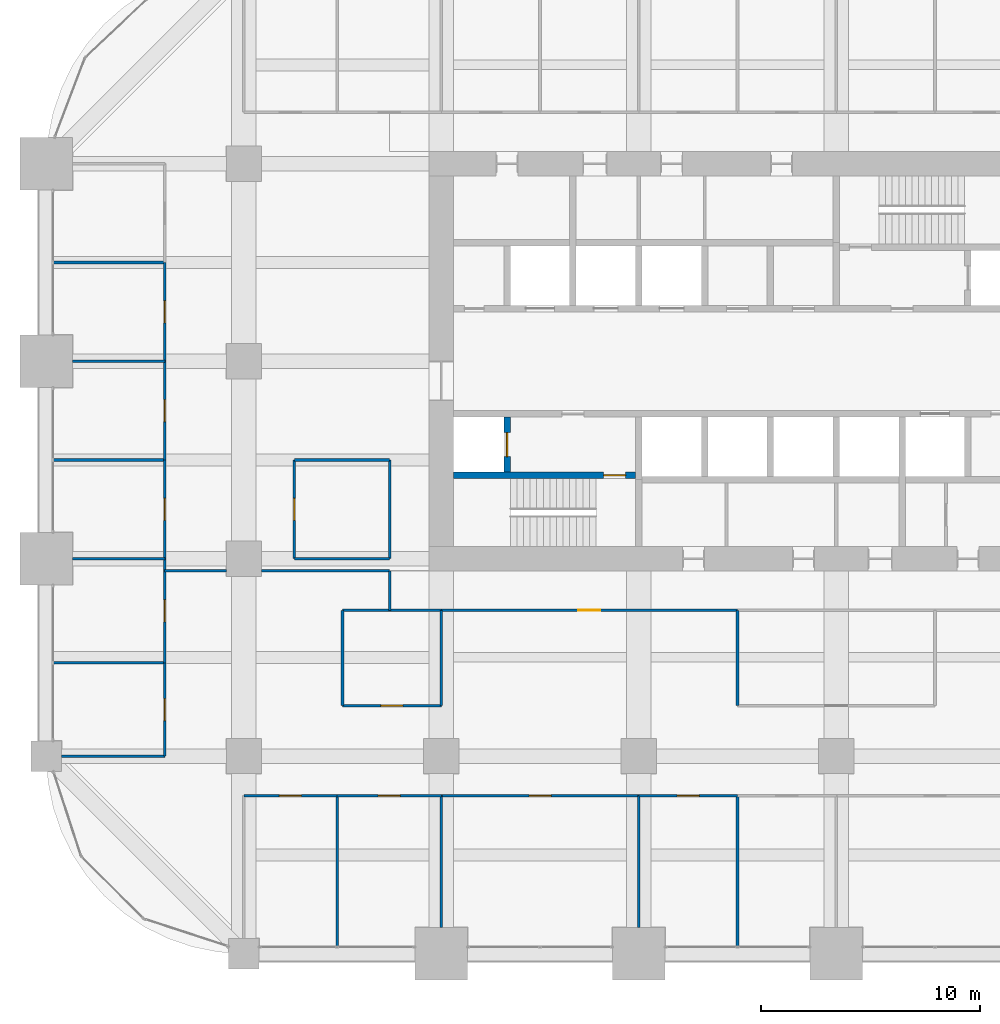
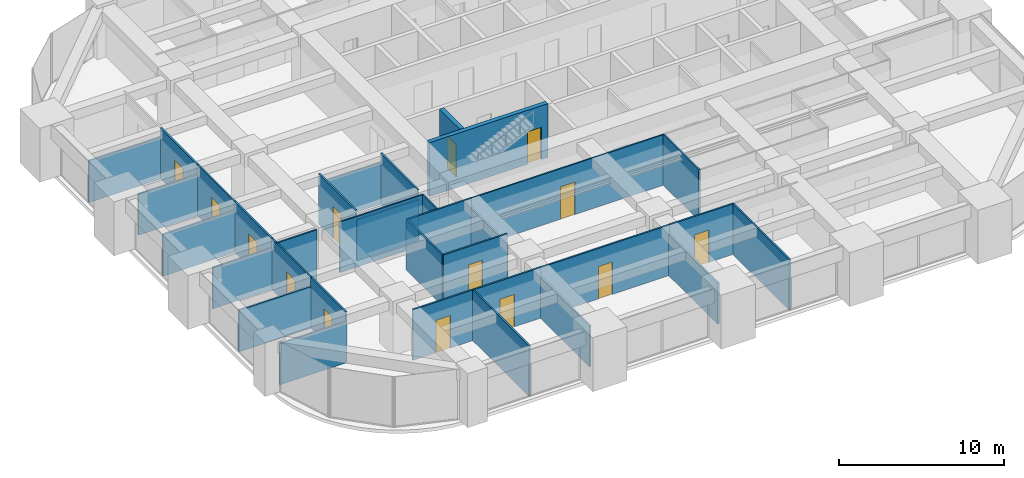
# One storey, part 29 of 34: 34 walls, 14 doors, 14 openings.
"""IFC4 building model written with IfcOpenShell, lengths in metres."""

import ifcopenshell
import ifcopenshell.guid

model = None  # the IFC model being written
_history = None  # IfcOwnerHistory: only IFC2X3 demands one
_inside = {}  # id of a spatial element -> (the spatial element, [elements in it])
_under = {}  # id of a project, library or spatial element -> (it, [spatial elements below it])
_declared = {}  # id of a project -> (the project, [libraries it declares])
_typed = {}  # id of a type object -> (the type object, [elements of that type])
_made_of = {}  # id of a material, layer set ... -> (it, [elements and type objects made of it])


def new_model(schema):
    """Start an empty IFC model of exactly this schema.

    Asked for "IFC4X3", IfcOpenShell would pick the latest addendum, in which some entities
    have other attributes; the version numbers below select the first issue.
    IFC2X3 requires an IfcOwnerHistory on every rooted entity: one is made here for all.
    """
    global model, _history
    if schema == "IFC4X3":
        model = ifcopenshell.file(schema_version=(4, 3, 0, 0))
    else:
        model = ifcopenshell.file(schema=schema)
    _inside.clear()
    _under.clear()
    _declared.clear()
    _typed.clear()
    _made_of.clear()
    _history = None
    if model.schema == "IFC2X3":
        org = make("IfcOrganization", Name="unknown")
        user = make(
            "IfcPersonAndOrganization",
            ThePerson=make("IfcPerson", FamilyName="unknown"),
            TheOrganization=org,
        )
        app = make(
            "IfcApplication",
            ApplicationDeveloper=org,
            Version="unknown",
            ApplicationFullName="unknown",
            ApplicationIdentifier="unknown",
        )
        _history = make(
            "IfcOwnerHistory",
            OwningUser=user,
            OwningApplication=app,
            ChangeAction="ADDED",
            CreationDate=0,
        )
    return model


def make(cls, **values):
    """One entity of the class cls with the attributes given. An attribute that is None is left unset."""
    return model.create_entity(
        cls, **{name: value for name, value in values.items() if value is not None}
    )


def rooted(cls, **values):
    """An entity with a GlobalId (a new one), such as an element, a storey or a relation."""
    return make(cls, GlobalId=ifcopenshell.guid.new(), OwnerHistory=_history, **values)


def si_unit(unit_type, name, prefix=None):
    """IfcSIUnit, for example si_unit("LENGTHUNIT", "METRE", prefix="MILLI")."""
    return make("IfcSIUnit", UnitType=unit_type, Prefix=prefix, Name=name)


def assignment(units):
    """IfcUnitAssignment: the units of a project."""
    return None if units is None else make("IfcUnitAssignment", Units=units)


def point(xyz):
    """IfcCartesianPoint."""
    return None if xyz is None else make("IfcCartesianPoint", Coordinates=xyz)


def direction(xyz):
    """IfcDirection."""
    return None if xyz is None else make("IfcDirection", DirectionRatios=xyz)


def frame(location, z_axis=None, x_axis=None):
    """IfcAxis2Placement3D, a coordinate frame: its origin and axes. An axis left out is left unset."""
    return make(
        "IfcAxis2Placement3D",
        Location=point(location),
        Axis=direction(z_axis),
        RefDirection=direction(x_axis),
    )


def frame_2d(location, x_axis=None):
    """IfcAxis2Placement2D, a coordinate frame in the plane: its origin and x axis."""
    return make(
        "IfcAxis2Placement2D", Location=point(location), RefDirection=direction(x_axis)
    )


def origin():
    """The frame at (0, 0, 0) with its axes left unset."""
    return frame((0.0, 0.0, 0.0))


def place(relative_to, where):
    """IfcLocalPlacement: puts the frame where relative to a parent placement (None: the world)."""
    return make(
        "IfcLocalPlacement", PlacementRelTo=relative_to, RelativePlacement=where
    )


def context(
    kind, dimensions, precision=None, world=None, true_north=None, identifier=None
):
    """IfcGeometricRepresentationContext, for example the 3D "Model" context."""
    return make(
        "IfcGeometricRepresentationContext",
        ContextIdentifier=identifier,
        ContextType=kind,
        CoordinateSpaceDimension=dimensions,
        Precision=precision,
        WorldCoordinateSystem=world,
        TrueNorth=true_north,
    )


def subcontext(parent, identifier, kind, view, scale=None):
    """IfcGeometricRepresentationSubContext, for example "Body" below "Model"."""
    return make(
        "IfcGeometricRepresentationSubContext",
        ContextIdentifier=identifier,
        ContextType=kind,
        ParentContext=parent,
        TargetScale=scale,
        TargetView=view,
    )


def project(units=None, contexts=None):
    """IfcProject with its units and contexts."""
    return rooted(
        "IfcProject",
        Name="project",
        RepresentationContexts=contexts,
        UnitsInContext=assignment(units),
    )


def spatial(cls, under=None, at=None, **own):
    """A site, building, storey or space (cls), placed at a placement, below another one or the project."""
    s = rooted(cls, ObjectPlacement=at, **own)
    if under is not None:
        _under.setdefault(under.id(), (under, []))[1].append(s)
    return s


def profile(cls, at=None, kind="AREA", **sizes):
    """A parametric profile (cls). Its sizes go by their IFC names, for example OverallWidth=200.0."""
    return make(cls, ProfileType=kind, Position=at, **sizes)


def rectangle(**sizes):
    """IfcRectangleProfileDef."""
    return profile("IfcRectangleProfileDef", **sizes)


def extrude(swept, where, along, depth):
    """IfcExtrudedAreaSolid: the profile swept, set in the frame where, extruded along a direction by depth."""
    return make(
        "IfcExtrudedAreaSolid",
        SweptArea=swept,
        Position=where,
        ExtrudedDirection=direction(along),
        Depth=depth,
    )


def shape(context_of_items, identifier, shape_type, items):
    """IfcShapeRepresentation: the items that make up one representation, for example the "Body"."""
    return make(
        "IfcShapeRepresentation",
        ContextOfItems=context_of_items,
        RepresentationIdentifier=identifier,
        RepresentationType=shape_type,
        Items=items,
    )


def material(Name=None, Category=None):
    """IfcMaterial."""
    return make("IfcMaterial", Name=Name, Category=Category)


def layer(
    of_material, thickness, ventilated=None, Name=None, Category=None, Priority=None
):
    """IfcMaterialLayer: one layer of a wall or slab, of a material (None: an air gap)."""
    return make(
        "IfcMaterialLayer",
        Material=of_material,
        LayerThickness=thickness,
        IsVentilated=ventilated,
        Name=Name,
        Category=Category,
        Priority=Priority,
    )


def layer_set(layers, Name=None):
    """IfcMaterialLayerSet."""
    return make("IfcMaterialLayerSet", MaterialLayers=layers, LayerSetName=Name)


def made_of(thing, what):
    """Note that an element or type object is made of a material, layer set ...; save() writes the relation."""
    if what is not None:
        _made_of.setdefault(what.id(), (what, []))[1].append(thing)
    return thing


def type_object(cls, material=None, **own):
    """A type object (cls), such as IfcWallType, which elements share."""
    return made_of(rooted(cls, **own), material)


def element(
    cls,
    number,
    at=None,
    inside=None,
    cuts=None,
    type_object=None,
    material=None,
    context=None,
    identifier="Body",
    shape_type=None,
    held_by="IfcProductDefinitionShape",
    body=None,
    shapes=None,
    **own,
):
    """One element of the class cls, such as IfcWall. Its Tag is "e" and its number.

    at: its placement. inside: the storey or other place that contains it. cuts: it is an
    opening in that element (IfcRelVoidsElement). A single representation is given by context,
    identifier, shape_type and body (its items); several are given by shapes. held_by: the class
    of the entity that holds the representations. save() writes the other relations.
    """
    e = rooted(cls, Tag="e%d" % number, ObjectPlacement=at, **own)
    if body is not None:
        shapes = [shape(context, identifier, shape_type, body)]
    if shapes is not None:
        e.Representation = make(held_by, Representations=shapes)
    if inside is not None:
        _inside.setdefault(inside.id(), (inside, []))[1].append(e)
    if cuts is not None:
        rooted(
            "IfcRelVoidsElement", RelatingBuildingElement=cuts, RelatedOpeningElement=e
        )
    if type_object is not None:
        _typed.setdefault(type_object.id(), (type_object, []))[1].append(e)
    return made_of(e, material)


def fill(opening, filler):
    """IfcRelFillsElement: the door or window that sits in an opening."""
    return rooted(
        "IfcRelFillsElement",
        RelatingOpeningElement=opening,
        RelatedBuildingElement=filler,
    )


def aggregate(whole, parts):
    """IfcRelAggregates: a whole, such as a stair, and the parts it consists of."""
    return rooted("IfcRelAggregates", RelatingObject=whole, RelatedObjects=parts)


def save(model, path):
    """Write the relations noted so far, then the file.

    IfcRelAggregates (storeys below a building ...), IfcRelContainedInSpatialStructure (elements
    in a storey), IfcRelDefinesByType, IfcRelAssociatesMaterial and IfcRelDeclares: one each for
    every whole, place, type object, material and project.
    """
    for whole, parts in _under.values():
        aggregate(whole, parts)
    for where, things in _inside.values():
        rooted(
            "IfcRelContainedInSpatialStructure",
            RelatedElements=things,
            RelatingStructure=where,
        )
    for kind, things in _typed.values():
        rooted("IfcRelDefinesByType", RelatedObjects=things, RelatingType=kind)
    for what, things in _made_of.values():
        rooted("IfcRelAssociatesMaterial", RelatedObjects=things, RelatingMaterial=what)
    for by, libraries in _declared.values():
        rooted("IfcRelDeclares", RelatingContext=by, RelatedDefinitions=libraries)
    model.write(path)


model = new_model("IFC4")

# Units and contexts
model_context = context("Model", 3, precision=1e-05, world=origin(), true_north=direction((0.0, 1.0)))
body_context = subcontext(model_context, "Body", "Model", "MODEL_VIEW")
ifc_project = project(units=[si_unit("LENGTHUNIT", "METRE"), si_unit("AREAUNIT", "SQUARE_METRE"), si_unit("VOLUMEUNIT", "CUBIC_METRE"), si_unit("PLANEANGLEUNIT", "RADIAN"), si_unit("MASSUNIT", "GRAM", prefix="KILO")], contexts=[model_context])

# Site, building, storey
site_placement = place(None, origin())
site = spatial("IfcSite", under=ifc_project, at=site_placement, CompositionType="ELEMENT")
building_placement = place(site_placement, origin())
building = spatial("IfcBuilding", under=site, at=building_placement, Name="Zorevar Civic Tower", CompositionType="ELEMENT")
storey_placement = place(building_placement, frame((0.0, 0.0, 170.199951171875)))
storey = spatial("IfcBuildingStorey", under=building, at=storey_placement, Name="L41", CompositionType="ELEMENT", Elevation=170.199951171875)

# Wall, opening, door
ifc_material_1 = material(Name="Laminated glass in black aluminium frame", Category="aluminium")
ifc_layer_1 = layer(ifc_material_1, 0.10009765625)
ifc_layer_set_1 = layer_set([ifc_layer_1], Name="Glazed partition 100")
wall_type_1 = type_object("IfcWallType", Name="Glazed partition 100", PredefinedType="PARTITIONING", material=ifc_layer_set_1)
wall_1_placement = place(storey_placement, frame((18.0, 15.64990234375, 0.0), z_axis=(0.0, 0.0, 1.0), x_axis=(1.0, 0.0, 0.0)))
wall_1 = element("IfcWall", 1, at=wall_1_placement, inside=storey, type_object=wall_type_1, Name="Glazed partition 100 L41", PredefinedType="PARTITIONING", context=body_context, shape_type="SweptSolid", body=[
    extrude(rectangle(XDim=13.5, YDim=0.10009765625, at=frame_2d((6.75, 0.0))), origin(), (0.0, 0.0, 1.0), 3.75),
])
opening_1_placement = place(wall_1_placement, frame((6.25, 0.0, 0.0)))
opening_1 = element("IfcOpeningElement", 2, at=opening_1_placement, cuts=wall_1, Name="Opening L41.25", PredefinedType="OPENING", context=body_context, shape_type="SweptSolid", body=[
    extrude(rectangle(XDim=1.0, YDim=2.39990234375, at=frame_2d((0.5, 1.199951171875))), frame((0.0, 0.06005859375, 0.0), z_axis=(0.0, -1.0, 0.0), x_axis=(1.0, 0.0, 0.0)), (0.0, 0.0, 1.0), 0.1201171875),
])
ifc_material_2 = material(Name="Timber door set", Category="wood")
door_type_1 = type_object("IfcDoorType", Name="Glazed door GD1 1000x2400", OperationType="SINGLE_SWING_LEFT", PredefinedType="DOOR", material=ifc_material_2)
door_1_placement = place(opening_1_placement, origin())
door_1 = element("IfcDoor", 3, at=door_1_placement, inside=storey, type_object=door_type_1, Name="Door L41 D1", OperationType="SINGLE_SWING_RIGHT", OverallHeight=2.39990234375, OverallWidth=1.0, PredefinedType="DOOR", context=body_context, shape_type="SweptSolid", body=[
    extrude(rectangle(XDim=1.0, YDim=2.39990234375, at=frame_2d((0.5, 1.199951171875))), frame((0.0, 0.02001953125, 0.0), z_axis=(0.0, -1.0, 0.0), x_axis=(1.0, 0.0, 0.0)), (0.0, 0.0, 1.0), 0.0400390625),
])
fill(opening_1, door_1)

# Walls
wall_2_placement = place(storey_placement, frame((5.389892578125, 17.449951171875, 0.0), z_axis=(0.0, 0.0, 1.0), x_axis=(1.0, 0.0, 0.0)))
element("IfcWall", 4, at=wall_2_placement, inside=storey, type_object=wall_type_1, Name="Glazed partition 100 L41", PredefinedType="PARTITIONING", context=body_context, shape_type="SweptSolid", body=[
    extrude(rectangle(XDim=2.81005859375, YDim=0.10009765625, at=frame_2d((1.405029296875, 0.0))), origin(), (0.0, 0.0, 1.0), 3.75),
])
wall_3_placement = place(storey_placement, frame((9.800048828125, 17.449951171875, 0.0), z_axis=(0.0, 0.0, 1.0), x_axis=(1.0, 0.0, 0.0)))
element("IfcWall", 5, at=wall_3_placement, inside=storey, type_object=wall_type_1, Name="Glazed partition 100 L41", PredefinedType="PARTITIONING", context=body_context, shape_type="SweptSolid", body=[
    extrude(rectangle(XDim=5.849853515625, YDim=0.10009765625, at=frame_2d((2.9248046875, 0.0))), origin(), (0.0, 0.0, 1.0), 3.75),
])
wall_4_placement = place(storey_placement, frame((15.64990234375, 15.64990234375, 0.0), z_axis=(0.0, 0.0, 1.0), x_axis=(0.0, 1.0, 0.0)))
element("IfcWall", 6, at=wall_4_placement, inside=storey, type_object=wall_type_1, Name="Glazed partition 100 L41", PredefinedType="PARTITIONING", context=body_context, shape_type="SweptSolid", body=[
    extrude(rectangle(XDim=1.800048828125, YDim=0.10009765625, at=frame_2d((0.89990234375, 0.0))), origin(), (0.0, 0.0, 1.0), 3.75),
])

# Wall, opening, door
ifc_material_3 = material(Name="Concrete C40/50", Category="concrete")
ifc_layer_2 = layer(ifc_material_3, 0.300048828125)
ifc_layer_set_2 = layer_set([ifc_layer_2], Name="Inner core wall 300")
wall_type_2 = type_object("IfcWallType", Name="Inner core wall 300", PredefinedType="SHEAR", material=ifc_layer_set_2)
wall_5_placement = place(storey_placement, frame((18.550048828125, 21.800048828125, 0.0), z_axis=(0.0, 0.0, 1.0), x_axis=(1.0, 0.0, 0.0)))
wall_5 = element("IfcWall", 7, at=wall_5_placement, inside=storey, type_object=wall_type_2, Name="Inner core wall S00 L41", PredefinedType="SHEAR", context=body_context, shape_type="SweptSolid", body=[
    extrude(rectangle(XDim=8.300048828125, YDim=0.300048828125, at=frame_2d((4.14990234375, 0.0))), origin(), (0.0, 0.0, 1.0), 4.0),
])
opening_2_placement = place(wall_5_placement, frame((6.85009765625, 0.0, 0.0)))
opening_2 = element("IfcOpeningElement", 8, at=opening_2_placement, cuts=wall_5, Name="Opening L41.11", PredefinedType="OPENING", context=body_context, shape_type="SweptSolid", body=[
    extrude(rectangle(XDim=1.0, YDim=2.39990234375, at=frame_2d((0.5, 1.199951171875))), frame((0.0, 0.159912109375, 0.0), z_axis=(0.0, -1.0, 0.0), x_axis=(1.0, 0.0, 0.0)), (0.0, 0.0, 1.0), 0.320068359375),
])
ifc_material_4 = material(Name="Steel door set", Category="steel")
door_type_2 = type_object("IfcDoorType", Name="Fire door FD1 1000x2400", OperationType="SINGLE_SWING_LEFT", PredefinedType="DOOR", material=ifc_material_4)
door_2_placement = place(opening_2_placement, origin())
door_2 = element("IfcDoor", 9, at=door_2_placement, inside=storey, type_object=door_type_2, Name="Door L41 10", OperationType="SINGLE_SWING_RIGHT", OverallHeight=2.39990234375, OverallWidth=1.0, PredefinedType="DOOR", context=body_context, shape_type="SweptSolid", body=[
    extrude(rectangle(XDim=1.0, YDim=2.39990234375, at=frame_2d((0.5, 1.199951171875))), frame((0.0, 0.030029296875, 0.0), z_axis=(0.0, -1.0, 0.0), x_axis=(1.0, 0.0, 0.0)), (0.0, 0.0, 1.0), 0.06005859375),
])
fill(opening_2, door_2)

wall_6_placement = place(storey_placement, frame((21.0, 21.949951171875, 0.0), z_axis=(0.0, 0.0, 1.0), x_axis=(0.0, 1.0, 0.0)))
wall_6 = element("IfcWall", 10, at=wall_6_placement, inside=storey, type_object=wall_type_2, Name="Inner core wall S02 L41", PredefinedType="SHEAR", context=body_context, shape_type="SweptSolid", body=[
    extrude(rectangle(XDim=2.5, YDim=0.300048828125, at=frame_2d((1.25, 0.0))), origin(), (0.0, 0.0, 1.0), 4.0),
])
opening_3_placement = place(wall_6_placement, frame((0.699951171875, 0.0, 0.0)))
opening_3 = element("IfcOpeningElement", 11, at=opening_3_placement, cuts=wall_6, Name="Opening L41.FL1", PredefinedType="OPENING", context=body_context, shape_type="SweptSolid", body=[
    extrude(rectangle(XDim=1.10009765625, YDim=2.39990234375, at=frame_2d((0.550048828125, 1.199951171875))), frame((0.0, 0.159912109375, 0.0), z_axis=(0.0, -1.0, 0.0), x_axis=(1.0, 0.0, 0.0)), (0.0, 0.0, 1.0), 0.320068359375),
])
ifc_material_5 = material(Name="Steel door set", Category="steel")
door_type_3 = type_object("IfcDoorType", Name="Firefighting lift landing door LD3 1100x2400", OperationType="DOUBLE_DOOR_SLIDING", PredefinedType="DOOR", material=ifc_material_5)
door_3_placement = place(opening_3_placement, origin())
door_3 = element("IfcDoor", 12, at=door_3_placement, inside=storey, type_object=door_type_3, Name="Landing door FL1 L41", OperationType="DOUBLE_DOOR_SLIDING", OverallHeight=2.39990234375, OverallWidth=1.10009765625, PredefinedType="DOOR", context=body_context, shape_type="SweptSolid", body=[
    extrude(rectangle(XDim=1.10009765625, YDim=2.39990234375, at=frame_2d((0.550048828125, 1.199951171875))), frame((0.0, 0.030029296875, 0.0), z_axis=(0.0, -1.0, 0.0), x_axis=(1.0, 0.0, 0.0)), (0.0, 0.0, 1.0), 0.06005859375),
])
fill(opening_3, door_3)

ifc_material_6 = material(Name="Gypsum board on steel studs", Category="steel")
ifc_layer_3 = layer(ifc_material_6, 0.1201171875)
ifc_layer_set_3 = layer_set([ifc_layer_3], Name="Partition 120")
wall_type_3 = type_object("IfcWallType", Name="Partition 120", PredefinedType="PARTITIONING", material=ifc_layer_set_3)
wall_7_placement = place(storey_placement, frame((9.0, 7.199951171875, 0.0), z_axis=(0.0, 0.0, 1.0), x_axis=(1.0, 0.0, 0.0)))
wall_7 = element("IfcWall", 13, at=wall_7_placement, inside=storey, type_object=wall_type_3, Name="Partition 120 L41", PredefinedType="PARTITIONING", context=body_context, shape_type="SweptSolid", body=[
    extrude(rectangle(XDim=4.25, YDim=0.1201171875, at=frame_2d((2.125, 0.0))), origin(), (0.0, 0.0, 1.0), 3.75),
])
opening_4_placement = place(wall_7_placement, frame((1.625, 0.0, 0.0)))
opening_4 = element("IfcOpeningElement", 14, at=opening_4_placement, cuts=wall_7, Name="Opening L41.17", PredefinedType="OPENING", context=body_context, shape_type="SweptSolid", body=[
    extrude(rectangle(XDim=1.0, YDim=2.39990234375, at=frame_2d((0.5, 1.199951171875))), frame((0.0, 0.070068359375, 0.0), z_axis=(0.0, -1.0, 0.0), x_axis=(1.0, 0.0, 0.0)), (0.0, 0.0, 1.0), 0.14013671875),
])
ifc_material_7 = material(Name="Timber door set", Category="wood")
door_type_4 = type_object("IfcDoorType", Name="Door D1 1000x2400", OperationType="SINGLE_SWING_LEFT", PredefinedType="DOOR", material=ifc_material_7)
door_4_placement = place(opening_4_placement, origin())
door_4 = element("IfcDoor", 15, at=door_4_placement, inside=storey, type_object=door_type_4, Name="Door L41 D1", OperationType="SINGLE_SWING_RIGHT", OverallHeight=2.39990234375, OverallWidth=1.0, PredefinedType="DOOR", context=body_context, shape_type="SweptSolid", body=[
    extrude(rectangle(XDim=1.0, YDim=2.39990234375, at=frame_2d((0.5, 1.199951171875))), frame((0.0, 0.02490234375, 0.0), z_axis=(0.0, -1.0, 0.0), x_axis=(1.0, 0.0, 0.0)), (0.0, 0.0, 1.0), 0.050048828125),
])
fill(opening_4, door_4)

wall_8_placement = place(storey_placement, frame((13.25, 7.199951171875, 0.0), z_axis=(0.0, 0.0, 1.0), x_axis=(1.0, 0.0, 0.0)))
wall_8 = element("IfcWall", 16, at=wall_8_placement, inside=storey, type_object=wall_type_3, Name="Partition 120 L41", PredefinedType="PARTITIONING", context=body_context, shape_type="SweptSolid", body=[
    extrude(rectangle(XDim=4.75, YDim=0.1201171875, at=frame_2d((2.375, 0.0))), origin(), (0.0, 0.0, 1.0), 3.75),
])
opening_5_placement = place(wall_8_placement, frame((1.875, 0.0, 0.0)))
opening_5 = element("IfcOpeningElement", 17, at=opening_5_placement, cuts=wall_8, Name="Opening L41.18", PredefinedType="OPENING", context=body_context, shape_type="SweptSolid", body=[
    extrude(rectangle(XDim=1.0, YDim=2.39990234375, at=frame_2d((0.5, 1.199951171875))), frame((0.0, 0.070068359375, 0.0), z_axis=(0.0, -1.0, 0.0), x_axis=(1.0, 0.0, 0.0)), (0.0, 0.0, 1.0), 0.14013671875),
])
door_5_placement = place(opening_5_placement, origin())
door_5 = element("IfcDoor", 18, at=door_5_placement, inside=storey, type_object=door_type_4, Name="Door L41 D1", OperationType="SINGLE_SWING_RIGHT", OverallHeight=2.39990234375, OverallWidth=1.0, PredefinedType="DOOR", context=body_context, shape_type="SweptSolid", body=[
    extrude(rectangle(XDim=1.0, YDim=2.39990234375, at=frame_2d((0.5, 1.199951171875))), frame((0.0, 0.02490234375, 0.0), z_axis=(0.0, -1.0, 0.0), x_axis=(1.0, 0.0, 0.0)), (0.0, 0.0, 1.0), 0.050048828125),
])
fill(opening_5, door_5)

wall_9_placement = place(storey_placement, frame((18.0, 7.199951171875, 0.0), z_axis=(0.0, 0.0, 1.0), x_axis=(1.0, 0.0, 0.0)))
wall_9 = element("IfcWall", 19, at=wall_9_placement, inside=storey, type_object=wall_type_3, Name="Partition 120 L41", PredefinedType="PARTITIONING", context=body_context, shape_type="SweptSolid", body=[
    extrude(rectangle(XDim=9.0, YDim=0.1201171875, at=frame_2d((4.5, 0.0))), origin(), (0.0, 0.0, 1.0), 3.75),
])
opening_6_placement = place(wall_9_placement, frame((4.0, 0.0, 0.0)))
opening_6 = element("IfcOpeningElement", 20, at=opening_6_placement, cuts=wall_9, Name="Opening L41.19", PredefinedType="OPENING", context=body_context, shape_type="SweptSolid", body=[
    extrude(rectangle(XDim=1.0, YDim=2.39990234375, at=frame_2d((0.5, 1.199951171875))), frame((0.0, 0.070068359375, 0.0), z_axis=(0.0, -1.0, 0.0), x_axis=(1.0, 0.0, 0.0)), (0.0, 0.0, 1.0), 0.14013671875),
])
door_6_placement = place(opening_6_placement, origin())
door_6 = element("IfcDoor", 21, at=door_6_placement, inside=storey, type_object=door_type_4, Name="Door L41 D1", OperationType="SINGLE_SWING_RIGHT", OverallHeight=2.39990234375, OverallWidth=1.0, PredefinedType="DOOR", context=body_context, shape_type="SweptSolid", body=[
    extrude(rectangle(XDim=1.0, YDim=2.39990234375, at=frame_2d((0.5, 1.199951171875))), frame((0.0, 0.02490234375, 0.0), z_axis=(0.0, -1.0, 0.0), x_axis=(1.0, 0.0, 0.0)), (0.0, 0.0, 1.0), 0.050048828125),
])
fill(opening_6, door_6)

wall_10_placement = place(storey_placement, frame((27.0, 7.199951171875, 0.0), z_axis=(0.0, 0.0, 1.0), x_axis=(1.0, 0.0, 0.0)))
wall_10 = element("IfcWall", 22, at=wall_10_placement, inside=storey, type_object=wall_type_3, Name="Partition 120 L41", PredefinedType="PARTITIONING", context=body_context, shape_type="SweptSolid", body=[
    extrude(rectangle(XDim=4.5, YDim=0.1201171875, at=frame_2d((2.25, 0.0))), origin(), (0.0, 0.0, 1.0), 3.75),
])
opening_7_placement = place(wall_10_placement, frame((1.75, 0.0, 0.0)))
opening_7 = element("IfcOpeningElement", 23, at=opening_7_placement, cuts=wall_10, Name="Opening L41.20", PredefinedType="OPENING", context=body_context, shape_type="SweptSolid", body=[
    extrude(rectangle(XDim=1.0, YDim=2.39990234375, at=frame_2d((0.5, 1.199951171875))), frame((0.0, 0.070068359375, 0.0), z_axis=(0.0, -1.0, 0.0), x_axis=(1.0, 0.0, 0.0)), (0.0, 0.0, 1.0), 0.14013671875),
])
door_7_placement = place(opening_7_placement, origin())
door_7 = element("IfcDoor", 24, at=door_7_placement, inside=storey, type_object=door_type_4, Name="Door L41 D1", OperationType="SINGLE_SWING_LEFT", OverallHeight=2.39990234375, OverallWidth=1.0, PredefinedType="DOOR", context=body_context, shape_type="SweptSolid", body=[
    extrude(rectangle(XDim=1.0, YDim=2.39990234375, at=frame_2d((0.5, 1.199951171875))), frame((0.0, 0.02490234375, 0.0), z_axis=(0.0, -1.0, 0.0), x_axis=(1.0, 0.0, 0.0)), (0.0, 0.0, 1.0), 0.050048828125),
])
fill(opening_7, door_7)

# Wall
wall_11_placement = place(storey_placement, frame((0.699951171875, 9.0, 0.0), z_axis=(0.0, 0.0, 1.0), x_axis=(1.0, 0.0, 0.0)))
element("IfcWall", 25, at=wall_11_placement, inside=storey, type_object=wall_type_3, Name="Partition 120 L41", PredefinedType="PARTITIONING", context=body_context, shape_type="SweptSolid", body=[
    extrude(rectangle(XDim=4.699951171875, YDim=0.1201171875, at=frame_2d((2.35009765625, 0.0))), origin(), (0.0, 0.0, 1.0), 3.050048828125),
])

# Wall, opening, door
wall_12_placement = place(storey_placement, frame((13.5, 11.300048828125, 0.0), z_axis=(0.0, 0.0, 1.0), x_axis=(1.0, 0.0, 0.0)))
wall_12 = element("IfcWall", 26, at=wall_12_placement, inside=storey, type_object=wall_type_3, Name="Partition 120 L41", PredefinedType="PARTITIONING", context=body_context, shape_type="SweptSolid", body=[
    extrude(rectangle(XDim=4.5, YDim=0.1201171875, at=frame_2d((2.25, 0.0))), origin(), (0.0, 0.0, 1.0), 3.75),
])
opening_8_placement = place(wall_12_placement, frame((1.75, 0.0, 0.0)))
opening_8 = element("IfcOpeningElement", 27, at=opening_8_placement, cuts=wall_12, Name="Opening L41.23", PredefinedType="OPENING", context=body_context, shape_type="SweptSolid", body=[
    extrude(rectangle(XDim=1.0, YDim=2.39990234375, at=frame_2d((0.5, 1.199951171875))), frame((0.0, 0.070068359375, 0.0), z_axis=(0.0, -1.0, 0.0), x_axis=(1.0, 0.0, 0.0)), (0.0, 0.0, 1.0), 0.14013671875),
])
door_8_placement = place(opening_8_placement, origin())
door_8 = element("IfcDoor", 28, at=door_8_placement, inside=storey, type_object=door_type_4, Name="Door L41 D1", OperationType="SINGLE_SWING_LEFT", OverallHeight=2.39990234375, OverallWidth=1.0, PredefinedType="DOOR", context=body_context, shape_type="SweptSolid", body=[
    extrude(rectangle(XDim=1.0, YDim=2.39990234375, at=frame_2d((0.5, 1.199951171875))), frame((0.0, 0.02490234375, 0.0), z_axis=(0.0, -1.0, 0.0), x_axis=(1.0, 0.0, 0.0)), (0.0, 0.0, 1.0), 0.050048828125),
])
fill(opening_8, door_8)

# Walls
wall_13_placement = place(storey_placement, frame((0.31005859375, 13.25, 0.0), z_axis=(0.0, 0.0, 1.0), x_axis=(1.0, 0.0, 0.0)))
element("IfcWall", 29, at=wall_13_placement, inside=storey, type_object=wall_type_3, Name="Partition 120 L41", PredefinedType="PARTITIONING", context=body_context, shape_type="SweptSolid", body=[
    extrude(rectangle(XDim=5.08984375, YDim=0.1201171875, at=frame_2d((2.544921875, 0.0))), origin(), (0.0, 0.0, 1.0), 3.10009765625),
])
wall_14_placement = place(storey_placement, frame((13.5, 15.64990234375, 0.0), z_axis=(0.0, 0.0, 1.0), x_axis=(1.0, 0.0, 0.0)))
element("IfcWall", 30, at=wall_14_placement, inside=storey, type_object=wall_type_3, Name="Partition 120 L41", PredefinedType="PARTITIONING", context=body_context, shape_type="SweptSolid", body=[
    extrude(rectangle(XDim=4.5, YDim=0.1201171875, at=frame_2d((2.25, 0.0))), origin(), (0.0, 0.0, 1.0), 3.75),
])
wall_15_placement = place(storey_placement, frame((1.199951171875, 18.0, 0.0), z_axis=(0.0, 0.0, 1.0), x_axis=(1.0, 0.0, 0.0)))
element("IfcWall", 31, at=wall_15_placement, inside=storey, type_object=wall_type_3, Name="Partition 120 L41", PredefinedType="PARTITIONING", context=body_context, shape_type="SweptSolid", body=[
    extrude(rectangle(XDim=4.199951171875, YDim=0.1201171875, at=frame_2d((2.10009765625, 0.0))), origin(), (0.0, 0.0, 1.0), 3.050048828125),
])
wall_16_placement = place(storey_placement, frame((11.300048828125, 18.0, 0.0), z_axis=(0.0, 0.0, 1.0), x_axis=(1.0, 0.0, 0.0)))
element("IfcWall", 32, at=wall_16_placement, inside=storey, type_object=wall_type_3, Name="Partition 120 L41", PredefinedType="PARTITIONING", context=body_context, shape_type="SweptSolid", body=[
    extrude(rectangle(XDim=4.349853515625, YDim=0.1201171875, at=frame_2d((2.1748046875, 0.0))), origin(), (0.0, 0.0, 1.0), 3.050048828125),
])
wall_17_placement = place(storey_placement, frame((0.31005859375, 22.5, 0.0), z_axis=(0.0, 0.0, 1.0), x_axis=(1.0, 0.0, 0.0)))
element("IfcWall", 33, at=wall_17_placement, inside=storey, type_object=wall_type_3, Name="Partition 120 L41", PredefinedType="PARTITIONING", context=body_context, shape_type="SweptSolid", body=[
    extrude(rectangle(XDim=5.08984375, YDim=0.1201171875, at=frame_2d((2.544921875, 0.0))), origin(), (0.0, 0.0, 1.0), 3.10009765625),
])
wall_18_placement = place(storey_placement, frame((11.300048828125, 22.5, 0.0), z_axis=(0.0, 0.0, 1.0), x_axis=(1.0, 0.0, 0.0)))
element("IfcWall", 34, at=wall_18_placement, inside=storey, type_object=wall_type_3, Name="Partition 120 L41", PredefinedType="PARTITIONING", context=body_context, shape_type="SweptSolid", body=[
    extrude(rectangle(XDim=4.349853515625, YDim=0.1201171875, at=frame_2d((2.1748046875, 0.0))), origin(), (0.0, 0.0, 1.0), 3.10009765625),
])
wall_19_placement = place(storey_placement, frame((1.199951171875, 27.0, 0.0), z_axis=(0.0, 0.0, 1.0), x_axis=(1.0, 0.0, 0.0)))
element("IfcWall", 35, at=wall_19_placement, inside=storey, type_object=wall_type_3, Name="Partition 120 L41", PredefinedType="PARTITIONING", context=body_context, shape_type="SweptSolid", body=[
    extrude(rectangle(XDim=4.199951171875, YDim=0.1201171875, at=frame_2d((2.10009765625, 0.0))), origin(), (0.0, 0.0, 1.0), 3.050048828125),
])
wall_20_placement = place(storey_placement, frame((0.31005859375, 31.5, 0.0), z_axis=(0.0, 0.0, 1.0), x_axis=(1.0, 0.0, 0.0)))
element("IfcWall", 36, at=wall_20_placement, inside=storey, type_object=wall_type_3, Name="Partition 120 L41", PredefinedType="PARTITIONING", context=body_context, shape_type="SweptSolid", body=[
    extrude(rectangle(XDim=5.08984375, YDim=0.1201171875, at=frame_2d((2.544921875, 0.0))), origin(), (0.0, 0.0, 1.0), 3.10009765625),
])

# Wall, opening, door
wall_21_placement = place(storey_placement, frame((5.39990234375, 9.0, 0.0), z_axis=(0.0, 0.0, 1.0), x_axis=(0.0, 1.0, 0.0)))
wall_21 = element("IfcWall", 37, at=wall_21_placement, inside=storey, type_object=wall_type_3, Name="Partition 120 L41", PredefinedType="PARTITIONING", context=body_context, shape_type="SweptSolid", body=[
    extrude(rectangle(XDim=4.25, YDim=0.1201171875, at=frame_2d((2.125, 0.0))), origin(), (0.0, 0.0, 1.0), 3.75),
])
opening_9_placement = place(wall_21_placement, frame((1.625, 0.0, 0.0)))
opening_9 = element("IfcOpeningElement", 38, at=opening_9_placement, cuts=wall_21, Name="Opening L41.35", PredefinedType="OPENING", context=body_context, shape_type="SweptSolid", body=[
    extrude(rectangle(XDim=1.0, YDim=2.39990234375, at=frame_2d((0.5, 1.199951171875))), frame((0.0, 0.070068359375, 0.0), z_axis=(0.0, -1.0, 0.0), x_axis=(1.0, 0.0, 0.0)), (0.0, 0.0, 1.0), 0.14013671875),
])
door_9_placement = place(opening_9_placement, origin())
door_9 = element("IfcDoor", 39, at=door_9_placement, inside=storey, type_object=door_type_4, Name="Door L41 D1", OperationType="SINGLE_SWING_RIGHT", OverallHeight=2.39990234375, OverallWidth=1.0, PredefinedType="DOOR", context=body_context, shape_type="SweptSolid", body=[
    extrude(rectangle(XDim=1.0, YDim=2.39990234375, at=frame_2d((0.5, 1.199951171875))), frame((0.0, 0.02490234375, 0.0), z_axis=(0.0, -1.0, 0.0), x_axis=(1.0, 0.0, 0.0)), (0.0, 0.0, 1.0), 0.050048828125),
])
fill(opening_9, door_9)

wall_22_placement = place(storey_placement, frame((5.39990234375, 13.25, 0.0), z_axis=(0.0, 0.0, 1.0), x_axis=(0.0, 1.0, 0.0)))
wall_22 = element("IfcWall", 40, at=wall_22_placement, inside=storey, type_object=wall_type_3, Name="Partition 120 L41", PredefinedType="PARTITIONING", context=body_context, shape_type="SweptSolid", body=[
    extrude(rectangle(XDim=4.75, YDim=0.1201171875, at=frame_2d((2.375, 0.0))), origin(), (0.0, 0.0, 1.0), 3.75),
])
opening_10_placement = place(wall_22_placement, frame((1.875, 0.0, 0.0)))
opening_10 = element("IfcOpeningElement", 41, at=opening_10_placement, cuts=wall_22, Name="Opening L41.36", PredefinedType="OPENING", context=body_context, shape_type="SweptSolid", body=[
    extrude(rectangle(XDim=1.0, YDim=2.39990234375, at=frame_2d((0.5, 1.199951171875))), frame((0.0, 0.070068359375, 0.0), z_axis=(0.0, -1.0, 0.0), x_axis=(1.0, 0.0, 0.0)), (0.0, 0.0, 1.0), 0.14013671875),
])
door_10_placement = place(opening_10_placement, origin())
door_10 = element("IfcDoor", 42, at=door_10_placement, inside=storey, type_object=door_type_4, Name="Door L41 D1", OperationType="SINGLE_SWING_RIGHT", OverallHeight=2.39990234375, OverallWidth=1.0, PredefinedType="DOOR", context=body_context, shape_type="SweptSolid", body=[
    extrude(rectangle(XDim=1.0, YDim=2.39990234375, at=frame_2d((0.5, 1.199951171875))), frame((0.0, 0.02490234375, 0.0), z_axis=(0.0, -1.0, 0.0), x_axis=(1.0, 0.0, 0.0)), (0.0, 0.0, 1.0), 0.050048828125),
])
fill(opening_10, door_10)

wall_23_placement = place(storey_placement, frame((5.39990234375, 18.0, 0.0), z_axis=(0.0, 0.0, 1.0), x_axis=(0.0, 1.0, 0.0)))
wall_23 = element("IfcWall", 43, at=wall_23_placement, inside=storey, type_object=wall_type_3, Name="Partition 120 L41", PredefinedType="PARTITIONING", context=body_context, shape_type="SweptSolid", body=[
    extrude(rectangle(XDim=4.5, YDim=0.1201171875, at=frame_2d((2.25, 0.0))), origin(), (0.0, 0.0, 1.0), 3.75),
])
opening_11_placement = place(wall_23_placement, frame((1.75, 0.0, 0.0)))
opening_11 = element("IfcOpeningElement", 44, at=opening_11_placement, cuts=wall_23, Name="Opening L41.37", PredefinedType="OPENING", context=body_context, shape_type="SweptSolid", body=[
    extrude(rectangle(XDim=1.0, YDim=2.39990234375, at=frame_2d((0.5, 1.199951171875))), frame((0.0, 0.070068359375, 0.0), z_axis=(0.0, -1.0, 0.0), x_axis=(1.0, 0.0, 0.0)), (0.0, 0.0, 1.0), 0.14013671875),
])
door_11_placement = place(opening_11_placement, origin())
door_11 = element("IfcDoor", 45, at=door_11_placement, inside=storey, type_object=door_type_4, Name="Door L41 D1", OperationType="SINGLE_SWING_LEFT", OverallHeight=2.39990234375, OverallWidth=1.0, PredefinedType="DOOR", context=body_context, shape_type="SweptSolid", body=[
    extrude(rectangle(XDim=1.0, YDim=2.39990234375, at=frame_2d((0.5, 1.199951171875))), frame((0.0, 0.02490234375, 0.0), z_axis=(0.0, -1.0, 0.0), x_axis=(1.0, 0.0, 0.0)), (0.0, 0.0, 1.0), 0.050048828125),
])
fill(opening_11, door_11)

wall_24_placement = place(storey_placement, frame((5.39990234375, 22.5, 0.0), z_axis=(0.0, 0.0, 1.0), x_axis=(0.0, 1.0, 0.0)))
wall_24 = element("IfcWall", 46, at=wall_24_placement, inside=storey, type_object=wall_type_3, Name="Partition 120 L41", PredefinedType="PARTITIONING", context=body_context, shape_type="SweptSolid", body=[
    extrude(rectangle(XDim=4.5, YDim=0.1201171875, at=frame_2d((2.25, 0.0))), origin(), (0.0, 0.0, 1.0), 3.75),
])
opening_12_placement = place(wall_24_placement, frame((1.75, 0.0, 0.0)))
opening_12 = element("IfcOpeningElement", 47, at=opening_12_placement, cuts=wall_24, Name="Opening L41.38", PredefinedType="OPENING", context=body_context, shape_type="SweptSolid", body=[
    extrude(rectangle(XDim=1.0, YDim=2.39990234375, at=frame_2d((0.5, 1.199951171875))), frame((0.0, 0.070068359375, 0.0), z_axis=(0.0, -1.0, 0.0), x_axis=(1.0, 0.0, 0.0)), (0.0, 0.0, 1.0), 0.14013671875),
])
door_12_placement = place(opening_12_placement, origin())
door_12 = element("IfcDoor", 48, at=door_12_placement, inside=storey, type_object=door_type_4, Name="Door L41 D1", OperationType="SINGLE_SWING_LEFT", OverallHeight=2.39990234375, OverallWidth=1.0, PredefinedType="DOOR", context=body_context, shape_type="SweptSolid", body=[
    extrude(rectangle(XDim=1.0, YDim=2.39990234375, at=frame_2d((0.5, 1.199951171875))), frame((0.0, 0.02490234375, 0.0), z_axis=(0.0, -1.0, 0.0), x_axis=(1.0, 0.0, 0.0)), (0.0, 0.0, 1.0), 0.050048828125),
])
fill(opening_12, door_12)

wall_25_placement = place(storey_placement, frame((5.39990234375, 27.0, 0.0), z_axis=(0.0, 0.0, 1.0), x_axis=(0.0, 1.0, 0.0)))
wall_25 = element("IfcWall", 49, at=wall_25_placement, inside=storey, type_object=wall_type_3, Name="Partition 120 L41", PredefinedType="PARTITIONING", context=body_context, shape_type="SweptSolid", body=[
    extrude(rectangle(XDim=4.5, YDim=0.1201171875, at=frame_2d((2.25, 0.0))), origin(), (0.0, 0.0, 1.0), 3.75),
])
opening_13_placement = place(wall_25_placement, frame((1.75, 0.0, 0.0)))
opening_13 = element("IfcOpeningElement", 50, at=opening_13_placement, cuts=wall_25, Name="Opening L41.39", PredefinedType="OPENING", context=body_context, shape_type="SweptSolid", body=[
    extrude(rectangle(XDim=1.0, YDim=2.39990234375, at=frame_2d((0.5, 1.199951171875))), frame((0.0, 0.070068359375, 0.0), z_axis=(0.0, -1.0, 0.0), x_axis=(1.0, 0.0, 0.0)), (0.0, 0.0, 1.0), 0.14013671875),
])
door_13_placement = place(opening_13_placement, origin())
door_13 = element("IfcDoor", 51, at=door_13_placement, inside=storey, type_object=door_type_4, Name="Door L41 D1", OperationType="SINGLE_SWING_LEFT", OverallHeight=2.39990234375, OverallWidth=1.0, PredefinedType="DOOR", context=body_context, shape_type="SweptSolid", body=[
    extrude(rectangle(XDim=1.0, YDim=2.39990234375, at=frame_2d((0.5, 1.199951171875))), frame((0.0, 0.02490234375, 0.0), z_axis=(0.0, -1.0, 0.0), x_axis=(1.0, 0.0, 0.0)), (0.0, 0.0, 1.0), 0.050048828125),
])
fill(opening_13, door_13)

wall_26_placement = place(storey_placement, frame((11.300048828125, 18.0, 0.0), z_axis=(0.0, 0.0, 1.0), x_axis=(0.0, 1.0, 0.0)))
wall_26 = element("IfcWall", 52, at=wall_26_placement, inside=storey, type_object=wall_type_3, Name="Partition 120 L41", PredefinedType="PARTITIONING", context=body_context, shape_type="SweptSolid", body=[
    extrude(rectangle(XDim=4.5, YDim=0.1201171875, at=frame_2d((2.25, 0.0))), origin(), (0.0, 0.0, 1.0), 3.75),
])
opening_14_placement = place(wall_26_placement, frame((1.75, 0.0, 0.0)))
opening_14 = element("IfcOpeningElement", 53, at=opening_14_placement, cuts=wall_26, Name="Opening L41.41", PredefinedType="OPENING", context=body_context, shape_type="SweptSolid", body=[
    extrude(rectangle(XDim=1.0, YDim=2.39990234375, at=frame_2d((0.5, 1.199951171875))), frame((0.0, 0.070068359375, 0.0), z_axis=(0.0, -1.0, 0.0), x_axis=(1.0, 0.0, 0.0)), (0.0, 0.0, 1.0), 0.14013671875),
])
door_14_placement = place(opening_14_placement, origin())
door_14 = element("IfcDoor", 54, at=door_14_placement, inside=storey, type_object=door_type_4, Name="Door L41 D1", OperationType="SINGLE_SWING_RIGHT", OverallHeight=2.39990234375, OverallWidth=1.0, PredefinedType="DOOR", context=body_context, shape_type="SweptSolid", body=[
    extrude(rectangle(XDim=1.0, YDim=2.39990234375, at=frame_2d((0.5, 1.199951171875))), frame((0.0, 0.02490234375, 0.0), z_axis=(0.0, -1.0, 0.0), x_axis=(1.0, 0.0, 0.0)), (0.0, 0.0, 1.0), 0.050048828125),
])
fill(opening_14, door_14)

# Walls
wall_27_placement = place(storey_placement, frame((13.25, 0.31005859375, 0.0), z_axis=(0.0, 0.0, 1.0), x_axis=(0.0, 1.0, 0.0)))
element("IfcWall", 55, at=wall_27_placement, inside=storey, type_object=wall_type_3, Name="Partition 120 L41", PredefinedType="PARTITIONING", context=body_context, shape_type="SweptSolid", body=[
    extrude(rectangle(XDim=6.889892578125, YDim=0.1201171875, at=frame_2d((3.44482421875, 0.0))), origin(), (0.0, 0.0, 1.0), 3.75),
])
wall_28_placement = place(storey_placement, frame((13.5, 11.300048828125, 0.0), z_axis=(0.0, 0.0, 1.0), x_axis=(0.0, 1.0, 0.0)))
element("IfcWall", 56, at=wall_28_placement, inside=storey, type_object=wall_type_3, Name="Partition 120 L41", PredefinedType="PARTITIONING", context=body_context, shape_type="SweptSolid", body=[
    extrude(rectangle(XDim=4.349853515625, YDim=0.1201171875, at=frame_2d((2.1748046875, 0.0))), origin(), (0.0, 0.0, 1.0), 3.75),
])
wall_29_placement = place(storey_placement, frame((15.64990234375, 18.0, 0.0), z_axis=(0.0, 0.0, 1.0), x_axis=(0.0, 1.0, 0.0)))
element("IfcWall", 57, at=wall_29_placement, inside=storey, type_object=wall_type_3, Name="Partition 120 L41", PredefinedType="PARTITIONING", context=body_context, shape_type="SweptSolid", body=[
    extrude(rectangle(XDim=4.5, YDim=0.1201171875, at=frame_2d((2.25, 0.0))), origin(), (0.0, 0.0, 1.0), 3.75),
])
wall_30_placement = place(storey_placement, frame((18.0, 1.199951171875, 0.0), z_axis=(0.0, 0.0, 1.0), x_axis=(0.0, 1.0, 0.0)))
element("IfcWall", 58, at=wall_30_placement, inside=storey, type_object=wall_type_3, Name="Partition 120 L41", PredefinedType="PARTITIONING", context=body_context, shape_type="SweptSolid", body=[
    extrude(rectangle(XDim=6.0, YDim=0.1201171875, at=frame_2d((3.0, 0.0))), origin(), (0.0, 0.0, 1.0), 3.050048828125),
])
wall_31_placement = place(storey_placement, frame((18.0, 11.300048828125, 0.0), z_axis=(0.0, 0.0, 1.0), x_axis=(0.0, 1.0, 0.0)))
element("IfcWall", 59, at=wall_31_placement, inside=storey, type_object=wall_type_3, Name="Partition 120 L41", PredefinedType="PARTITIONING", context=body_context, shape_type="SweptSolid", body=[
    extrude(rectangle(XDim=4.349853515625, YDim=0.1201171875, at=frame_2d((2.1748046875, 0.0))), origin(), (0.0, 0.0, 1.0), 3.050048828125),
])
wall_32_placement = place(storey_placement, frame((27.0, 1.199951171875, 0.0), z_axis=(0.0, 0.0, 1.0), x_axis=(0.0, 1.0, 0.0)))
element("IfcWall", 60, at=wall_32_placement, inside=storey, type_object=wall_type_3, Name="Partition 120 L41", PredefinedType="PARTITIONING", context=body_context, shape_type="SweptSolid", body=[
    extrude(rectangle(XDim=6.0, YDim=0.1201171875, at=frame_2d((3.0, 0.0))), origin(), (0.0, 0.0, 1.0), 3.050048828125),
])
wall_33_placement = place(storey_placement, frame((31.5, 0.31005859375, 0.0), z_axis=(0.0, 0.0, 1.0), x_axis=(0.0, 1.0, 0.0)))
element("IfcWall", 61, at=wall_33_placement, inside=storey, type_object=wall_type_3, Name="Partition 120 L41", PredefinedType="PARTITIONING", context=body_context, shape_type="SweptSolid", body=[
    extrude(rectangle(XDim=6.889892578125, YDim=0.1201171875, at=frame_2d((3.44482421875, 0.0))), origin(), (0.0, 0.0, 1.0), 3.75),
])
wall_34_placement = place(storey_placement, frame((31.5, 11.300048828125, 0.0), z_axis=(0.0, 0.0, 1.0), x_axis=(0.0, 1.0, 0.0)))
element("IfcWall", 62, at=wall_34_placement, inside=storey, type_object=wall_type_3, Name="Partition 120 L41", PredefinedType="PARTITIONING", context=body_context, shape_type="SweptSolid", body=[
    extrude(rectangle(XDim=4.349853515625, YDim=0.1201171875, at=frame_2d((2.1748046875, 0.0))), origin(), (0.0, 0.0, 1.0), 3.75),
])

save(model, "model.ifc")
